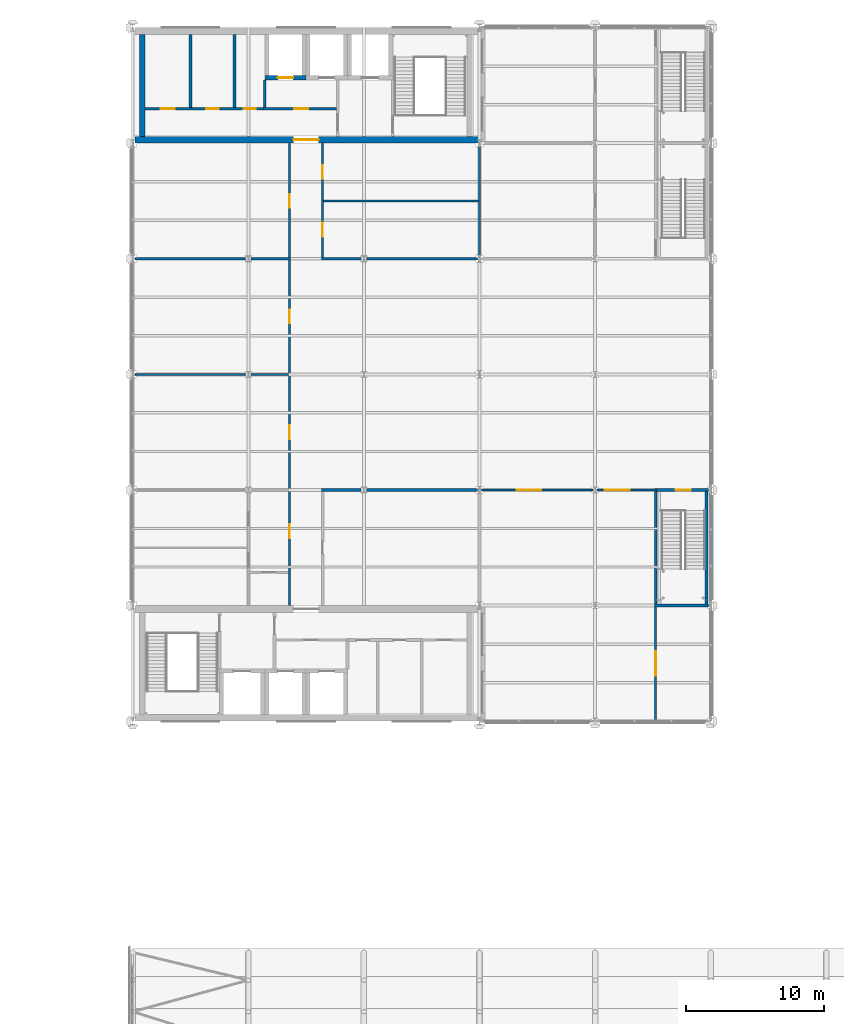
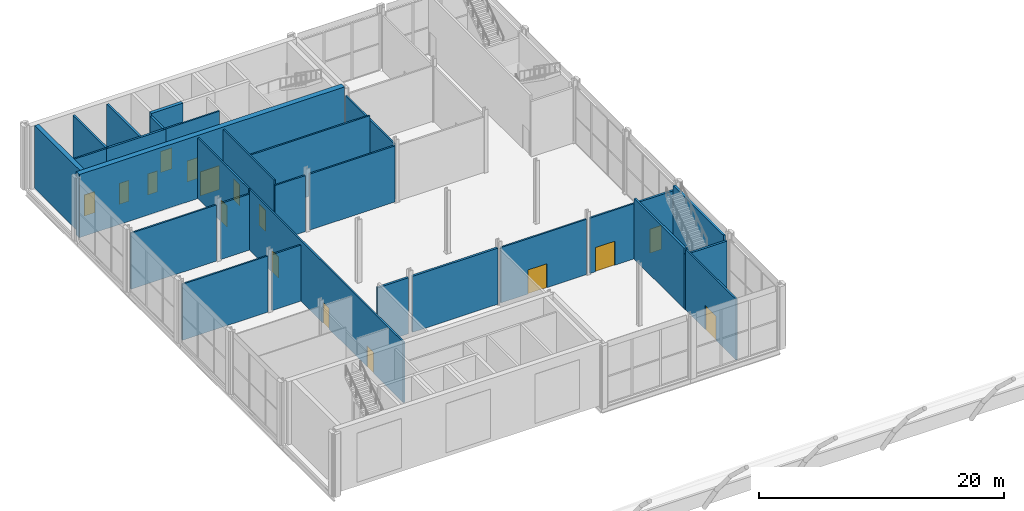
# One storey, part 67 of 77: 29 walls, 16 doors, 16 openings.
"""IFC4 building model written with IfcOpenShell, lengths in metres."""

from ifc_helpers import new_model, si_unit, direction, frame, frame_2d, origin, place, context, subcontext, project, spatial, rectangle, extrude, material, layer, layer_set, type_object, element, fill, save


model = new_model("IFC4")

# Units and contexts
model_context = context("Model", 3, precision=1e-05, world=origin(), true_north=direction((0.0, 1.0)))
body_context = subcontext(model_context, "Body", "Model", "MODEL_VIEW")
ifc_project = project(units=[si_unit("LENGTHUNIT", "METRE"), si_unit("AREAUNIT", "SQUARE_METRE"), si_unit("VOLUMEUNIT", "CUBIC_METRE"), si_unit("PLANEANGLEUNIT", "RADIAN"), si_unit("MASSUNIT", "GRAM", prefix="KILO")], contexts=[model_context])

# Site, building, storey
site_placement = place(None, origin())
site = spatial("IfcSite", under=ifc_project, at=site_placement, CompositionType="ELEMENT")
building_placement = place(site_placement, origin())
building = spatial("IfcBuilding", under=site, at=building_placement, Name="Catenary Quay Ferry Terminal", CompositionType="ELEMENT")
storey_placement = place(building_placement, frame((0.0, 0.0, 10.800048828125)))
storey = spatial("IfcBuildingStorey", under=building, at=storey_placement, Name="L02", CompositionType="ELEMENT", Elevation=10.800048828125)

# Wall
ifc_material_1 = material(Name="Concrete C50/60", Category="concrete")
ifc_layer_1 = layer(ifc_material_1, 0.39990234375)
ifc_layer_set_1 = layer_set([ifc_layer_1], Name="Core wall 400")
wall_type_1 = type_object("IfcWallType", Name="Core wall 400", PredefinedType="SHEAR", material=ifc_layer_set_1)
wall_1_placement = place(storey_placement, frame((25.89990234375, 202.10009765625, 0.0), z_axis=(0.0, 0.0, 1.0), x_axis=(0.0, 1.0, 0.0)))
element("IfcWall", 1, at=wall_1_placement, inside=storey, type_object=wall_type_1, Name="Core wall N3", PredefinedType="SHEAR", context=body_context, shape_type="SweptSolid", body=[
    extrude(rectangle(XDim=7.39990234375, YDim=0.39990234375, at=frame_2d((3.699951171875, 0.0))), origin(), (0.0, 0.0, 1.0), 6.300048828125),
])

# Wall, opening, door
ifc_material_2 = material(Name="Concrete C50/60", Category="concrete")
ifc_layer_2 = layer(ifc_material_2, 0.5)
ifc_layer_set_2 = layer_set([ifc_layer_2], Name="Core wall 500")
wall_type_2 = type_object("IfcWallType", Name="Core wall 500", PredefinedType="SHEAR", material=ifc_layer_set_2)
wall_2_placement = place(storey_placement, frame((25.35009765625, 201.85009765625, 0.0), z_axis=(0.0, 0.0, 1.0), x_axis=(1.0, 0.0, 0.0)))
wall_2 = element("IfcWall", 2, at=wall_2_placement, inside=storey, type_object=wall_type_2, Name="Core wall N1", PredefinedType="SHEAR", context=body_context, shape_type="SweptSolid", body=[
    extrude(rectangle(XDim=25.04296875, YDim=0.5, at=frame_2d((12.521484375, 0.0))), origin(), (0.0, 0.0, 1.0), 6.300048828125),
])
opening_1_placement = place(wall_2_placement, frame((11.550048828125, 0.0, 0.0)))
opening_1 = element("IfcOpeningElement", 3, at=opening_1_placement, cuts=wall_2, Name="Opening D171", PredefinedType="OPENING", context=body_context, shape_type="SweptSolid", body=[
    extrude(rectangle(XDim=1.800048828125, YDim=2.39990234375, at=frame_2d((0.89990234375, 1.199951171875))), frame((0.0, 0.260009765625, 0.0), z_axis=(0.0, -1.0, 0.0), x_axis=(1.0, 0.0, 0.0)), (0.0, 0.0, 1.0), 0.52001953125),
])
ifc_material_3 = material(Name="Steel and glass", Category="steel")
door_type_1 = type_object("IfcDoorType", Name="DI3", OperationType="DOUBLE_DOOR_SINGLE_SWING", PredefinedType="DOOR", material=ifc_material_3)
door_1_placement = place(opening_1_placement, origin())
door_1 = element("IfcDoor", 4, at=door_1_placement, inside=storey, type_object=door_type_1, Name="Operations Corridor North to Core Corridor N", OperationType="DOUBLE_DOOR_SINGLE_SWING", OverallHeight=2.39990234375, OverallWidth=1.800048828125, PredefinedType="DOOR", context=body_context, shape_type="SweptSolid", body=[
    extrude(rectangle(XDim=1.800048828125, YDim=2.39990234375, at=frame_2d((0.89990234375, 1.199951171875))), frame((0.0, 0.02490234375, 0.0), z_axis=(0.0, -1.0, 0.0), x_axis=(1.0, 0.0, 0.0)), (0.0, 0.0, 1.0), 0.050048828125),
])
fill(opening_1, door_1)

# Walls
ifc_material_4 = material(Name="Plasterboard on steel studs", Category="steel")
ifc_layer_3 = layer(ifc_material_4, 0.14990234375)
ifc_layer_set_3 = layer_set([ifc_layer_3], Name="IP11")
wall_type_3 = type_object("IfcWallType", Name="IP11", PredefinedType="PARTITIONING", material=ifc_layer_set_3)
wall_3_placement = place(storey_placement, frame((25.35009765625, 193.199951171875, 0.0), z_axis=(0.0, 0.0, 1.0), x_axis=(1.0, 0.0, 0.0)))
element("IfcWall", 5, at=wall_3_placement, inside=storey, type_object=wall_type_3, Name="Partition L02 16", PredefinedType="PARTITIONING", context=body_context, shape_type="SweptSolid", body=[
    extrude(rectangle(XDim=8.0478515625, YDim=0.14990234375, at=frame_2d((4.02392578125, 0.0))), origin(), (0.0, 0.0, 1.0), 5.59619140625),
])
wall_4_placement = place(storey_placement, frame((33.802001953125, 193.199951171875, 0.0), z_axis=(0.0, 0.0, 1.0), x_axis=(1.0, 0.0, 0.0)))
element("IfcWall", 6, at=wall_4_placement, inside=storey, type_object=wall_type_3, Name="Partition L02 17", PredefinedType="PARTITIONING", context=body_context, shape_type="SweptSolid", body=[
    extrude(rectangle(XDim=2.873046875, YDim=0.14990234375, at=frame_2d((1.4365234375, 0.0))), origin(), (0.0, 0.0, 1.0), 5.59619140625),
])

# Wall, opening, door
wall_5_placement = place(storey_placement, frame((36.60009765625, 193.27490234375, 0.0), z_axis=(0.0, 0.0, 1.0), x_axis=(0.0, 1.0, 0.0)))
wall_5 = element("IfcWall", 7, at=wall_5_placement, inside=storey, type_object=wall_type_3, Name="Partition L02 36", PredefinedType="PARTITIONING", context=body_context, shape_type="SweptSolid", body=[
    extrude(rectangle(XDim=8.3251953125, YDim=0.14990234375, at=frame_2d((4.16259765625, 0.0))), origin(), (0.0, 0.0, 1.0), 6.050048828125),
])
opening_2_placement = place(wall_5_placement, frame((3.625, 0.0, 0.0)))
opening_2 = element("IfcOpeningElement", 8, at=opening_2_placement, cuts=wall_5, Name="Opening D178", PredefinedType="OPENING", context=body_context, shape_type="SweptSolid", body=[
    extrude(rectangle(XDim=1.0, YDim=2.10009765625, at=frame_2d((0.5, 1.050048828125))), frame((0.0, 0.0849609375, 0.0), z_axis=(0.0, -1.0, 0.0), x_axis=(1.0, 0.0, 0.0)), (0.0, 0.0, 1.0), 0.169921875),
])
ifc_material_5 = material(Name="Steel", Category="steel")
door_type_2 = type_object("IfcDoorType", Name="DI14", OperationType="SINGLE_SWING_LEFT", PredefinedType="DOOR", material=ifc_material_5)
door_2_placement = place(opening_2_placement, origin())
door_2 = element("IfcDoor", 9, at=door_2_placement, inside=storey, type_object=door_type_2, Name="Vessel Traffic Control Room to Operations Corridor North", OperationType="SINGLE_SWING_LEFT", OverallHeight=2.10009765625, OverallWidth=1.0, PredefinedType="DOOR", context=body_context, shape_type="SweptSolid", body=[
    extrude(rectangle(XDim=1.0, YDim=2.10009765625, at=frame_2d((0.5, 1.050048828125))), frame((0.0, 0.02490234375, 0.0), z_axis=(0.0, -1.0, 0.0), x_axis=(1.0, 0.0, 0.0)), (0.0, 0.0, 1.0), 0.050048828125),
])
fill(opening_2, door_2)

# Wall
ifc_material_6 = material(Name="Concrete C35/45", Category="concrete")
ifc_layer_4 = layer(ifc_material_6, 0.199951171875)
ifc_layer_set_4 = layer_set([ifc_layer_4], Name="IP12")
wall_type_4 = type_object("IfcWallType", Name="IP12", PredefinedType="PARTITIONING", material=ifc_layer_set_4)
wall_6_placement = place(storey_placement, frame((63.10009765625, 168.0, 0.0), z_axis=(0.0, 0.0, 1.0), x_axis=(1.0, 0.0, 0.0)))
element("IfcWall", 10, at=wall_6_placement, inside=storey, type_object=wall_type_4, Name="Stair wall L02 4", PredefinedType="PARTITIONING", context=body_context, shape_type="SweptSolid", body=[
    extrude(rectangle(XDim=3.949951171875, YDim=0.199951171875, at=frame_2d((1.97509765625, 0.0))), origin(), (0.0, 0.0, 1.0), 5.521728515625),
])

# Wall, opening, door
wall_7_placement = place(storey_placement, frame((63.10009765625, 176.39990234375, 0.0), z_axis=(0.0, 0.0, 1.0), x_axis=(1.0, 0.0, 0.0)))
wall_7 = element("IfcWall", 11, at=wall_7_placement, inside=storey, type_object=wall_type_4, Name="Stair wall L02 13", PredefinedType="PARTITIONING", context=body_context, shape_type="SweptSolid", body=[
    extrude(rectangle(XDim=3.949951171875, YDim=0.199951171875, at=frame_2d((1.97509765625, 0.0))), origin(), (0.0, 0.0, 1.0), 5.521728515625),
])
opening_3_placement = place(wall_7_placement, frame((1.550048828125, 0.0, 0.0)))
opening_3 = element("IfcOpeningElement", 12, at=opening_3_placement, cuts=wall_7, Name="Opening D187", PredefinedType="OPENING", context=body_context, shape_type="SweptSolid", body=[
    extrude(rectangle(XDim=1.10009765625, YDim=2.39990234375, at=frame_2d((0.550048828125, 1.199951171875))), frame((0.0, 0.10986328125, 0.0), z_axis=(0.0, -1.0, 0.0), x_axis=(1.0, 0.0, 0.0)), (0.0, 0.0, 1.0), 0.219970703125),
])
ifc_material_7 = material(Name="Steel", Category="steel")
door_type_3 = type_object("IfcDoorType", Name="DI4", OperationType="SINGLE_SWING_LEFT", PredefinedType="DOOR", material=ifc_material_7)
door_3_placement = place(opening_3_placement, frame((1.10009765625, 0.0, 0.0), z_axis=(0.0, 0.0, 1.0), x_axis=(-1.0, 0.0, 0.0)))
door_3 = element("IfcDoor", 13, at=door_3_placement, inside=storey, type_object=door_type_3, Name="Stair HS3 to East Foyer", OperationType="SINGLE_SWING_RIGHT", OverallHeight=2.39990234375, OverallWidth=1.10009765625, PredefinedType="DOOR", context=body_context, shape_type="SweptSolid", body=[
    extrude(rectangle(XDim=1.10009765625, YDim=2.39990234375, at=frame_2d((0.550048828125, 1.199951171875))), frame((0.0, 0.02490234375, 0.0), z_axis=(0.0, -1.0, 0.0), x_axis=(1.0, 0.0, 0.0)), (0.0, 0.0, 1.0), 0.050048828125),
])
fill(opening_3, door_3)

# Walls
for number, where, z_axis, x_axis, name in (
    (14, (63.199951171875, 168.10009765625, 0.0), (0.0, 0.0, 1.0), (0.0, 1.0, 0.0), "Stair wall L02 49"),
    (15, (66.89990234375, 168.10009765625, 0.0), (0.0, 0.0, 1.0), (0.0, 1.0, 0.0), "Stair wall L02 east 3"),
):
    element("IfcWall", number, at=place(storey_placement, frame(where, z_axis=z_axis, x_axis=x_axis)), inside=storey, type_object=wall_type_4, Name=name, PredefinedType="PARTITIONING", context=body_context, shape_type="SweptSolid", body=[
        extrude(rectangle(XDim=8.199951171875, YDim=0.199951171875, at=frame_2d((4.10009765625, 0.0))), origin(), (0.0, 0.0, 1.0), 6.050048828125),
    ])

# Wall, opening, door
ifc_material_8 = material(Name="Plasterboard on steel studs", Category="steel")
ifc_layer_5 = layer(ifc_material_8, 0.14990234375)
ifc_layer_set_5 = layer_set([ifc_layer_5], Name="IP3")
wall_type_5 = type_object("IfcWallType", Name="IP3", PredefinedType="PARTITIONING", material=ifc_layer_set_5)
wall_8_placement = place(storey_placement, frame((50.550048828125, 176.39990234375, 0.0), z_axis=(0.0, 0.0, 1.0), x_axis=(1.0, 0.0, 0.0)))
wall_8 = element("IfcWall", 16, at=wall_8_placement, inside=storey, type_object=wall_type_5, Name="Partition L02 11", PredefinedType="PARTITIONING", context=body_context, shape_type="SweptSolid", body=[
    extrude(rectangle(XDim=8.099853515625, YDim=0.14990234375, at=frame_2d((4.0498046875, 0.0))), origin(), (0.0, 0.0, 1.0), 5.521728515625),
])
opening_4_placement = place(wall_8_placement, frame((2.550048828125, 0.0, 0.0)))
opening_4 = element("IfcOpeningElement", 17, at=opening_4_placement, cuts=wall_8, Name="Opening D182", PredefinedType="OPENING", context=body_context, shape_type="SweptSolid", body=[
    extrude(rectangle(XDim=1.800048828125, YDim=2.39990234375, at=frame_2d((0.89990234375, 1.199951171875))), frame((0.0, 0.0849609375, 0.0), z_axis=(0.0, -1.0, 0.0), x_axis=(1.0, 0.0, 0.0)), (0.0, 0.0, 1.0), 0.169921875),
])
ifc_material_9 = material(Name="Aluminium and glass", Category="aluminium")
door_type_4 = type_object("IfcDoorType", Name="DI6", OperationType="DOUBLE_DOOR_SINGLE_SWING", PredefinedType="DOOR", material=ifc_material_9)
door_4_placement = place(opening_4_placement, origin())
door_4 = element("IfcDoor", 18, at=door_4_placement, inside=storey, type_object=door_type_4, Name="Community Hall to East Foyer", OperationType="DOUBLE_DOOR_SINGLE_SWING", OverallHeight=2.39990234375, OverallWidth=1.800048828125, PredefinedType="DOOR", context=body_context, shape_type="SweptSolid", body=[
    extrude(rectangle(XDim=1.800048828125, YDim=2.39990234375, at=frame_2d((0.89990234375, 1.199951171875))), frame((0.0, 0.02490234375, 0.0), z_axis=(0.0, -1.0, 0.0), x_axis=(1.0, 0.0, 0.0)), (0.0, 0.0, 1.0), 0.050048828125),
])
fill(opening_4, door_4)

wall_9_placement = place(storey_placement, frame((58.949951171875, 176.39990234375, 0.0), z_axis=(0.0, 0.0, 1.0), x_axis=(1.0, 0.0, 0.0)))
wall_9 = element("IfcWall", 19, at=wall_9_placement, inside=storey, type_object=wall_type_5, Name="Partition L02 12", PredefinedType="PARTITIONING", context=body_context, shape_type="SweptSolid", body=[
    extrude(rectangle(XDim=4.35009765625, YDim=0.14990234375, at=frame_2d((2.175048828125, 0.0))), origin(), (0.0, 0.0, 1.0), 5.521728515625),
])
opening_5_placement = place(wall_9_placement, frame((0.550048828125, 0.0, 0.0)))
opening_5 = element("IfcOpeningElement", 20, at=opening_5_placement, cuts=wall_9, Name="Opening D183", PredefinedType="OPENING", context=body_context, shape_type="SweptSolid", body=[
    extrude(rectangle(XDim=1.800048828125, YDim=2.39990234375, at=frame_2d((0.89990234375, 1.199951171875))), frame((0.0, 0.0849609375, 0.0), z_axis=(0.0, -1.0, 0.0), x_axis=(1.0, 0.0, 0.0)), (0.0, 0.0, 1.0), 0.169921875),
])
door_5_placement = place(opening_5_placement, origin())
door_5 = element("IfcDoor", 21, at=door_5_placement, inside=storey, type_object=door_type_4, Name="Community Hall to East Foyer", OperationType="DOUBLE_DOOR_SINGLE_SWING", OverallHeight=2.39990234375, OverallWidth=1.800048828125, PredefinedType="DOOR", context=body_context, shape_type="SweptSolid", body=[
    extrude(rectangle(XDim=1.800048828125, YDim=2.39990234375, at=frame_2d((0.89990234375, 1.199951171875))), frame((0.0, 0.02490234375, 0.0), z_axis=(0.0, -1.0, 0.0), x_axis=(1.0, 0.0, 0.0)), (0.0, 0.0, 1.0), 0.050048828125),
])
fill(opening_5, door_5)

# Walls
wall_10_placement = place(storey_placement, frame((38.925048828125, 193.199951171875, 0.0), z_axis=(0.0, 0.0, 1.0), x_axis=(1.0, 0.0, 0.0)))
element("IfcWall", 22, at=wall_10_placement, inside=storey, type_object=wall_type_5, Name="Partition L02 18", PredefinedType="PARTITIONING", context=body_context, shape_type="SweptSolid", body=[
    extrude(rectangle(XDim=2.873046875, YDim=0.14990234375, at=frame_2d((1.4365234375, 0.0))), origin(), (0.0, 0.0, 1.0), 5.59619140625),
])
wall_11_placement = place(storey_placement, frame((42.201904296875, 193.199951171875, 0.0), z_axis=(0.0, 0.0, 1.0), x_axis=(1.0, 0.0, 0.0)))
element("IfcWall", 23, at=wall_11_placement, inside=storey, type_object=wall_type_5, Name="Partition L02 19", PredefinedType="PARTITIONING", context=body_context, shape_type="SweptSolid", body=[
    extrude(rectangle(XDim=8.048095703125, YDim=0.14990234375, at=frame_2d((4.02392578125, 0.0))), origin(), (0.0, 0.0, 1.0), 5.59619140625),
])

# Wall, opening, door
wall_12_placement = place(storey_placement, frame((26.10009765625, 204.10009765625, 0.0), z_axis=(0.0, 0.0, 1.0), x_axis=(1.0, 0.0, 0.0)))
wall_12 = element("IfcWall", 24, at=wall_12_placement, inside=storey, type_object=wall_type_5, Name="Partition L02 25", PredefinedType="PARTITIONING", context=body_context, shape_type="SweptSolid", body=[
    extrude(rectangle(XDim=3.39990234375, YDim=0.14990234375, at=frame_2d((1.699951171875, 0.0))), origin(), (0.0, 0.0, 1.0), 6.050048828125),
])
opening_6_placement = place(wall_12_placement, frame((1.14990234375, 0.0, 0.0)))
opening_6 = element("IfcOpeningElement", 25, at=opening_6_placement, cuts=wall_12, Name="Opening D167", PredefinedType="OPENING", context=body_context, shape_type="SweptSolid", body=[
    extrude(rectangle(XDim=1.0, YDim=2.10009765625, at=frame_2d((0.5, 1.050048828125))), frame((0.0, 0.0849609375, 0.0), z_axis=(0.0, -1.0, 0.0), x_axis=(1.0, 0.0, 0.0)), (0.0, 0.0, 1.0), 0.169921875),
])
ifc_material_10 = material(Name="Timber", Category="wood")
door_type_5 = type_object("IfcDoorType", Name="DI8", OperationType="SINGLE_SWING_LEFT", PredefinedType="DOOR", material=ifc_material_10)
door_6_placement = place(opening_6_placement, origin())
door_6 = element("IfcDoor", 26, at=door_6_placement, inside=storey, type_object=door_type_5, Name="Accessible WC N to Core Corridor N", OperationType="SINGLE_SWING_LEFT", OverallHeight=2.10009765625, OverallWidth=1.0, PredefinedType="DOOR", context=body_context, shape_type="SweptSolid", body=[
    extrude(rectangle(XDim=1.0, YDim=2.10009765625, at=frame_2d((0.5, 1.050048828125))), frame((0.0, 0.02490234375, 0.0), z_axis=(0.0, -1.0, 0.0), x_axis=(1.0, 0.0, 0.0)), (0.0, 0.0, 1.0), 0.050048828125),
])
fill(opening_6, door_6)

wall_13_placement = place(storey_placement, frame((34.699951171875, 204.10009765625, 0.0), z_axis=(0.0, 0.0, 1.0), x_axis=(1.0, 0.0, 0.0)))
wall_13 = element("IfcWall", 27, at=wall_13_placement, inside=storey, type_object=wall_type_5, Name="Partition L02 27", PredefinedType="PARTITIONING", context=body_context, shape_type="SweptSolid", body=[
    extrude(rectangle(XDim=5.300048828125, YDim=0.14990234375, at=frame_2d((2.64990234375, 0.0))), origin(), (0.0, 0.0, 1.0), 6.050048828125),
])
opening_7_placement = place(wall_13_placement, frame((2.25, 0.0, 0.0)))
opening_7 = element("IfcOpeningElement", 28, at=opening_7_placement, cuts=wall_13, Name="Opening D159", PredefinedType="OPENING", context=body_context, shape_type="SweptSolid", body=[
    extrude(rectangle(XDim=1.0, YDim=2.10009765625, at=frame_2d((0.5, 1.050048828125))), frame((0.0, 0.0849609375, 0.0), z_axis=(0.0, -1.0, 0.0), x_axis=(1.0, 0.0, 0.0)), (0.0, 0.0, 1.0), 0.169921875),
])
ifc_material_11 = material(Name="Steel", Category="steel")
door_type_6 = type_object("IfcDoorType", Name="DI12", OperationType="SINGLE_SWING_LEFT", PredefinedType="DOOR", material=ifc_material_11)
door_7_placement = place(opening_7_placement, origin())
door_7 = element("IfcDoor", 29, at=door_7_placement, inside=storey, type_object=door_type_6, Name="Passenger Lift Lobby N to Core Corridor N", OperationType="SINGLE_SWING_LEFT", OverallHeight=2.10009765625, OverallWidth=1.0, PredefinedType="DOOR", context=body_context, shape_type="SweptSolid", body=[
    extrude(rectangle(XDim=1.0, YDim=2.10009765625, at=frame_2d((0.5, 1.050048828125))), frame((0.0, 0.02490234375, 0.0), z_axis=(0.0, -1.0, 0.0), x_axis=(1.0, 0.0, 0.0)), (0.0, 0.0, 1.0), 0.050048828125),
])
fill(opening_7, door_7)

# Wall, openings, doors
wall_14_placement = place(storey_placement, frame((36.60009765625, 168.0, 0.0), z_axis=(0.0, 0.0, 1.0), x_axis=(0.0, 1.0, 0.0)))
wall_14 = element("IfcWall", 30, at=wall_14_placement, inside=storey, type_object=wall_type_5, Name="Partition L02 35", PredefinedType="PARTITIONING", context=body_context, shape_type="SweptSolid", body=[
    extrude(rectangle(XDim=25.125, YDim=0.14990234375, at=frame_2d((12.5625, 0.0))), origin(), (0.0, 0.0, 1.0), 6.050048828125),
])
opening_8_placement = place(wall_14_placement, frame((4.89990234375, 0.0, 0.0)))
opening_8 = element("IfcOpeningElement", 31, at=opening_8_placement, cuts=wall_14, Name="Opening D175", PredefinedType="OPENING", context=body_context, shape_type="SweptSolid", body=[
    extrude(rectangle(XDim=1.0, YDim=2.10009765625, at=frame_2d((0.5, 1.050048828125))), frame((0.0, 0.0849609375, 0.0), z_axis=(0.0, -1.0, 0.0), x_axis=(1.0, 0.0, 0.0)), (0.0, 0.0, 1.0), 0.169921875),
])
opening_9_placement = place(wall_14_placement, frame((12.10009765625, 0.0, 0.0)))
opening_9 = element("IfcOpeningElement", 32, at=opening_9_placement, cuts=wall_14, Name="Opening D176", PredefinedType="OPENING", context=body_context, shape_type="SweptSolid", body=[
    extrude(rectangle(XDim=1.0, YDim=2.10009765625, at=frame_2d((0.5, 1.050048828125))), frame((0.0, 0.0849609375, 0.0), z_axis=(0.0, -1.0, 0.0), x_axis=(1.0, 0.0, 0.0)), (0.0, 0.0, 1.0), 0.169921875),
])
opening_10_placement = place(wall_14_placement, frame((20.5, 0.0, 0.0)))
opening_10 = element("IfcOpeningElement", 33, at=opening_10_placement, cuts=wall_14, Name="Opening D177", PredefinedType="OPENING", context=body_context, shape_type="SweptSolid", body=[
    extrude(rectangle(XDim=1.0, YDim=2.10009765625, at=frame_2d((0.5, 1.050048828125))), frame((0.0, 0.0849609375, 0.0), z_axis=(0.0, -1.0, 0.0), x_axis=(1.0, 0.0, 0.0)), (0.0, 0.0, 1.0), 0.169921875),
])
door_8_placement = place(opening_8_placement, origin())
door_8 = element("IfcDoor", 34, at=door_8_placement, inside=storey, type_object=door_type_6, Name="Staff WC Lobby L02 to Operations Corridor South", OperationType="SINGLE_SWING_LEFT", OverallHeight=2.10009765625, OverallWidth=1.0, PredefinedType="DOOR", context=body_context, shape_type="SweptSolid", body=[
    extrude(rectangle(XDim=1.0, YDim=2.10009765625, at=frame_2d((0.5, 1.050048828125))), frame((0.0, 0.02490234375, 0.0), z_axis=(0.0, -1.0, 0.0), x_axis=(1.0, 0.0, 0.0)), (0.0, 0.0, 1.0), 0.050048828125),
])
fill(opening_8, door_8)
door_9_placement = place(opening_9_placement, frame((1.0, 0.0, 0.0), z_axis=(0.0, 0.0, 1.0), x_axis=(-1.0, 0.0, 0.0)))
door_9 = element("IfcDoor", 35, at=door_9_placement, inside=storey, type_object=door_type_6, Name="Board Room to Meeting Gallery", OperationType="SINGLE_SWING_RIGHT", OverallHeight=2.10009765625, OverallWidth=1.0, PredefinedType="DOOR", context=body_context, shape_type="SweptSolid", body=[
    extrude(rectangle(XDim=1.0, YDim=2.10009765625, at=frame_2d((0.5, 1.050048828125))), frame((0.0, 0.02490234375, 0.0), z_axis=(0.0, -1.0, 0.0), x_axis=(1.0, 0.0, 0.0)), (0.0, 0.0, 1.0), 0.050048828125),
])
fill(opening_9, door_9)
door_10_placement = place(opening_10_placement, frame((1.0, 0.0, 0.0), z_axis=(0.0, 0.0, 1.0), x_axis=(-1.0, 0.0, 0.0)))
door_10 = element("IfcDoor", 36, at=door_10_placement, inside=storey, type_object=door_type_6, Name="Port Authority Open Office to Meeting Gallery", OperationType="SINGLE_SWING_RIGHT", OverallHeight=2.10009765625, OverallWidth=1.0, PredefinedType="DOOR", context=body_context, shape_type="SweptSolid", body=[
    extrude(rectangle(XDim=1.0, YDim=2.10009765625, at=frame_2d((0.5, 1.050048828125))), frame((0.0, 0.02490234375, 0.0), z_axis=(0.0, -1.0, 0.0), x_axis=(1.0, 0.0, 0.0)), (0.0, 0.0, 1.0), 0.050048828125),
])
fill(opening_10, door_10)

wall_15_placement = place(storey_placement, frame((39.0, 193.27490234375, 0.0), z_axis=(0.0, 0.0, 1.0), x_axis=(0.0, 1.0, 0.0)))
wall_15 = element("IfcWall", 37, at=wall_15_placement, inside=storey, type_object=wall_type_5, Name="Partition L02 38", PredefinedType="PARTITIONING", context=body_context, shape_type="SweptSolid", body=[
    extrude(rectangle(XDim=8.3251953125, YDim=0.14990234375, at=frame_2d((4.16259765625, 0.0))), origin(), (0.0, 0.0, 1.0), 6.050048828125),
])
opening_11_placement = place(wall_15_placement, frame((1.52490234375, 0.0, 0.0)))
opening_11 = element("IfcOpeningElement", 38, at=opening_11_placement, cuts=wall_15, Name="Opening D180", PredefinedType="OPENING", context=body_context, shape_type="SweptSolid", body=[
    extrude(rectangle(XDim=1.0, YDim=2.10009765625, at=frame_2d((0.5, 1.050048828125))), frame((0.0, 0.0849609375, 0.0), z_axis=(0.0, -1.0, 0.0), x_axis=(1.0, 0.0, 0.0)), (0.0, 0.0, 1.0), 0.169921875),
])
opening_12_placement = place(wall_15_placement, frame((5.72509765625, 0.0, 0.0)))
opening_12 = element("IfcOpeningElement", 39, at=opening_12_placement, cuts=wall_15, Name="Opening D181", PredefinedType="OPENING", context=body_context, shape_type="SweptSolid", body=[
    extrude(rectangle(XDim=1.0, YDim=2.10009765625, at=frame_2d((0.5, 1.050048828125))), frame((0.0, 0.0849609375, 0.0), z_axis=(0.0, -1.0, 0.0), x_axis=(1.0, 0.0, 0.0)), (0.0, 0.0, 1.0), 0.169921875),
])
ifc_material_12 = material(Name="Timber", Category="wood")
door_type_7 = type_object("IfcDoorType", Name="DI7", OperationType="SINGLE_SWING_LEFT", PredefinedType="DOOR", material=ifc_material_12)
door_11_placement = place(opening_11_placement, frame((1.0, 0.0, 0.0), z_axis=(0.0, 0.0, 1.0), x_axis=(-1.0, 0.0, 0.0)))
door_11 = element("IfcDoor", 40, at=door_11_placement, inside=storey, type_object=door_type_7, Name="Meeting Room 1 to Operations Corridor North", OperationType="SINGLE_SWING_RIGHT", OverallHeight=2.10009765625, OverallWidth=1.0, PredefinedType="DOOR", context=body_context, shape_type="SweptSolid", body=[
    extrude(rectangle(XDim=1.0, YDim=2.10009765625, at=frame_2d((0.5, 1.050048828125))), frame((0.0, 0.02490234375, 0.0), z_axis=(0.0, -1.0, 0.0), x_axis=(1.0, 0.0, 0.0)), (0.0, 0.0, 1.0), 0.050048828125),
])
fill(opening_11, door_11)
door_12_placement = place(opening_12_placement, frame((1.0, 0.0, 0.0), z_axis=(0.0, 0.0, 1.0), x_axis=(-1.0, 0.0, 0.0)))
door_12 = element("IfcDoor", 41, at=door_12_placement, inside=storey, type_object=door_type_7, Name="Meeting Room 2 to Operations Corridor North", OperationType="SINGLE_SWING_RIGHT", OverallHeight=2.10009765625, OverallWidth=1.0, PredefinedType="DOOR", context=body_context, shape_type="SweptSolid", body=[
    extrude(rectangle(XDim=1.0, YDim=2.10009765625, at=frame_2d((0.5, 1.050048828125))), frame((0.0, 0.02490234375, 0.0), z_axis=(0.0, -1.0, 0.0), x_axis=(1.0, 0.0, 0.0)), (0.0, 0.0, 1.0), 0.050048828125),
])
fill(opening_12, door_12)

# Walls
ifc_material_13 = material(Name="Blockwork and plaster", Category="masonry")
ifc_layer_6 = layer(ifc_material_13, 0.199951171875)
ifc_layer_set_6 = layer_set([ifc_layer_6], Name="IP6")
wall_type_6 = type_object("IfcWallType", Name="IP6", PredefinedType="PARTITIONING", material=ifc_layer_set_6)
wall_16_placement = place(storey_placement, frame((38.89990234375, 176.39990234375, 0.0), z_axis=(0.0, 0.0, 1.0), x_axis=(1.0, 0.0, 0.0)))
element("IfcWall", 42, at=wall_16_placement, inside=storey, type_object=wall_type_6, Name="Partition L02 9", PredefinedType="PARTITIONING", context=body_context, shape_type="SweptSolid", body=[
    extrude(rectangle(XDim=2.898193359375, YDim=0.199951171875, at=frame_2d((1.44921875, 0.0))), origin(), (0.0, 0.0, 1.0), 5.59619140625),
])
wall_17_placement = place(storey_placement, frame((42.201904296875, 176.39990234375, 0.0), z_axis=(0.0, 0.0, 1.0), x_axis=(1.0, 0.0, 0.0)))
element("IfcWall", 43, at=wall_17_placement, inside=storey, type_object=wall_type_6, Name="Partition L02 10", PredefinedType="PARTITIONING", context=body_context, shape_type="SweptSolid", body=[
    extrude(rectangle(XDim=8.048095703125, YDim=0.199951171875, at=frame_2d((4.02392578125, 0.0))), origin(), (0.0, 0.0, 1.0), 5.59619140625),
])

# Wall, openings, doors
wall_18_placement = place(storey_placement, frame((29.300048828125, 204.10009765625, 0.0), z_axis=(0.0, 0.0, 1.0), x_axis=(1.0, 0.0, 0.0)))
wall_18 = element("IfcWall", 44, at=wall_18_placement, inside=storey, type_object=wall_type_6, Name="Partition L02 26", PredefinedType="PARTITIONING", context=body_context, shape_type="SweptSolid", body=[
    extrude(rectangle(XDim=5.599853515625, YDim=0.199951171875, at=frame_2d((2.7998046875, 0.0))), origin(), (0.0, 0.0, 1.0), 6.050048828125),
])
opening_13_placement = place(wall_18_placement, frame((3.949951171875, 0.0, 0.0)))
opening_13 = element("IfcOpeningElement", 45, at=opening_13_placement, cuts=wall_18, Name="Opening D163", PredefinedType="OPENING", context=body_context, shape_type="SweptSolid", body=[
    extrude(rectangle(XDim=0.89990234375, YDim=2.10009765625, at=frame_2d((0.449951171875, 1.050048828125))), frame((0.0, 0.10986328125, 0.0), z_axis=(0.0, -1.0, 0.0), x_axis=(1.0, 0.0, 0.0)), (0.0, 0.0, 1.0), 0.219970703125),
])
opening_14_placement = place(wall_18_placement, frame((1.25, 0.0, 0.0)))
opening_14 = element("IfcOpeningElement", 46, at=opening_14_placement, cuts=wall_18, Name="Opening D165", PredefinedType="OPENING", context=body_context, shape_type="SweptSolid", body=[
    extrude(rectangle(XDim=0.89990234375, YDim=2.10009765625, at=frame_2d((0.449951171875, 1.050048828125))), frame((0.0, 0.10986328125, 0.0), z_axis=(0.0, -1.0, 0.0), x_axis=(1.0, 0.0, 0.0)), (0.0, 0.0, 1.0), 0.219970703125),
])
ifc_material_14 = material(Name="Steel", Category="steel")
door_type_8 = type_object("IfcDoorType", Name="DI9", OperationType="SINGLE_SWING_LEFT", PredefinedType="DOOR", material=ifc_material_14)
door_13_placement = place(opening_13_placement, origin())
door_13 = element("IfcDoor", 47, at=door_13_placement, inside=storey, type_object=door_type_8, Name="Riser Shaft N to Core Corridor N", OperationType="SINGLE_SWING_LEFT", OverallHeight=2.10009765625, OverallWidth=0.89990234375, PredefinedType="DOOR", context=body_context, shape_type="SweptSolid", body=[
    extrude(rectangle(XDim=0.89990234375, YDim=2.10009765625, at=frame_2d((0.449951171875, 1.050048828125))), frame((0.0, 0.02490234375, 0.0), z_axis=(0.0, -1.0, 0.0), x_axis=(1.0, 0.0, 0.0)), (0.0, 0.0, 1.0), 0.050048828125),
])
fill(opening_13, door_13)
door_14_placement = place(opening_14_placement, origin())
door_14 = element("IfcDoor", 48, at=door_14_placement, inside=storey, type_object=door_type_8, Name="Cleaners Store N to Core Corridor N", OperationType="SINGLE_SWING_LEFT", OverallHeight=2.10009765625, OverallWidth=0.89990234375, PredefinedType="DOOR", context=body_context, shape_type="SweptSolid", body=[
    extrude(rectangle(XDim=0.89990234375, YDim=2.10009765625, at=frame_2d((0.449951171875, 1.050048828125))), frame((0.0, 0.02490234375, 0.0), z_axis=(0.0, -1.0, 0.0), x_axis=(1.0, 0.0, 0.0)), (0.0, 0.0, 1.0), 0.050048828125),
])
fill(opening_14, door_14)

# Walls
for number, where, z_axis, x_axis, name in (
    (49, (29.39990234375, 204.199951171875, 0.0), (0.0, 0.0, 1.0), (0.0, 1.0, 0.0), "Partition L02 28"),
    (50, (32.60009765625, 204.199951171875, 0.0), (0.0, 0.0, 1.0), (0.0, 1.0, 0.0), "Partition L02 30"),
):
    element("IfcWall", number, at=place(storey_placement, frame(where, z_axis=z_axis, x_axis=x_axis)), inside=storey, type_object=wall_type_6, Name=name, PredefinedType="PARTITIONING", context=body_context, shape_type="SweptSolid", body=[
        extrude(rectangle(XDim=5.300048828125, YDim=0.199951171875, at=frame_2d((2.64990234375, 0.0))), origin(), (0.0, 0.0, 1.0), 6.050048828125),
    ])
wall_19_placement = place(storey_placement, frame((34.800048828125, 204.199951171875, 0.0), z_axis=(0.0, 0.0, 1.0), x_axis=(0.0, 1.0, 0.0)))
element("IfcWall", 51, at=wall_19_placement, inside=storey, type_object=wall_type_6, Name="Partition L02 33", PredefinedType="PARTITIONING", context=body_context, shape_type="SweptSolid", body=[
    extrude(rectangle(XDim=2.0, YDim=0.199951171875, at=frame_2d((1.0, 0.0))), origin(), (0.0, 0.0, 1.0), 6.050048828125),
])
ifc_material_15 = material(Name="Plasterboard on steel studs", Category="steel")
ifc_layer_7 = layer(ifc_material_15, 0.14990234375)
ifc_layer_set_7 = layer_set([ifc_layer_7], Name="IP7")
wall_type_7 = type_object("IfcWallType", Name="IP7", PredefinedType="PARTITIONING", material=ifc_layer_set_7)
wall_20_placement = place(storey_placement, frame((25.35009765625, 184.800048828125, 0.0), z_axis=(0.0, 0.0, 1.0), x_axis=(1.0, 0.0, 0.0)))
element("IfcWall", 52, at=wall_20_placement, inside=storey, type_object=wall_type_7, Name="Partition L02 14", PredefinedType="PARTITIONING", context=body_context, shape_type="SweptSolid", body=[
    extrude(rectangle(XDim=8.0478515625, YDim=0.14990234375, at=frame_2d((4.02392578125, 0.0))), origin(), (0.0, 0.0, 1.0), 5.59619140625),
])
wall_21_placement = place(storey_placement, frame((33.802001953125, 184.800048828125, 0.0), z_axis=(0.0, 0.0, 1.0), x_axis=(1.0, 0.0, 0.0)))
element("IfcWall", 53, at=wall_21_placement, inside=storey, type_object=wall_type_7, Name="Partition L02 15", PredefinedType="PARTITIONING", context=body_context, shape_type="SweptSolid", body=[
    extrude(rectangle(XDim=2.722900390625, YDim=0.14990234375, at=frame_2d((1.361328125, 0.0))), origin(), (0.0, 0.0, 1.0), 5.59619140625),
])
wall_22_placement = place(storey_placement, frame((39.074951171875, 197.39990234375, 0.0), z_axis=(0.0, 0.0, 1.0), x_axis=(1.0, 0.0, 0.0)))
element("IfcWall", 54, at=wall_22_placement, inside=storey, type_object=wall_type_7, Name="Partition L02 22", PredefinedType="PARTITIONING", context=body_context, shape_type="SweptSolid", body=[
    extrude(rectangle(XDim=11.25, YDim=0.14990234375, at=frame_2d((5.625, 0.0))), origin(), (0.0, 0.0, 1.0), 6.050048828125),
])
wall_23_placement = place(storey_placement, frame((50.39990234375, 193.449951171875, 0.0), z_axis=(0.0, 0.0, 1.0), x_axis=(0.0, 1.0, 0.0)))
element("IfcWall", 55, at=wall_23_placement, inside=storey, type_object=wall_type_7, Name="Partition L02 45", PredefinedType="PARTITIONING", context=body_context, shape_type="SweptSolid", body=[
    extrude(rectangle(XDim=7.900146484375, YDim=0.14990234375, at=frame_2d((3.9501953125, 0.0))), origin(), (0.0, 0.0, 1.0), 5.59619140625),
])

# Wall, opening, door
wall_24_placement = place(storey_placement, frame((63.199951171875, 159.675048828125, 0.0), z_axis=(0.0, 0.0, 1.0), x_axis=(0.0, 1.0, 0.0)))
wall_24 = element("IfcWall", 56, at=wall_24_placement, inside=storey, type_object=wall_type_7, Name="Partition L02 48", PredefinedType="PARTITIONING", context=body_context, shape_type="SweptSolid", body=[
    extrude(rectangle(XDim=8.224853515625, YDim=0.14990234375, at=frame_2d((4.1123046875, 0.0))), origin(), (0.0, 0.0, 1.0), 6.050048828125),
])
opening_15_placement = place(wall_24_placement, frame((3.22509765625, 0.0, 0.0)))
opening_15 = element("IfcOpeningElement", 57, at=opening_15_placement, cuts=wall_24, Name="Opening D184", PredefinedType="OPENING", context=body_context, shape_type="SweptSolid", body=[
    extrude(rectangle(XDim=1.800048828125, YDim=2.39990234375, at=frame_2d((0.89990234375, 1.199951171875))), frame((0.0, 0.0849609375, 0.0), z_axis=(0.0, -1.0, 0.0), x_axis=(1.0, 0.0, 0.0)), (0.0, 0.0, 1.0), 0.169921875),
])
door_15_placement = place(opening_15_placement, origin())
door_15 = element("IfcDoor", 58, at=door_15_placement, inside=storey, type_object=door_type_4, Name="Briefing Room to Community Hall", OperationType="DOUBLE_DOOR_SINGLE_SWING", OverallHeight=2.39990234375, OverallWidth=1.800048828125, PredefinedType="DOOR", context=body_context, shape_type="SweptSolid", body=[
    extrude(rectangle(XDim=1.800048828125, YDim=2.39990234375, at=frame_2d((0.89990234375, 1.199951171875))), frame((0.0, 0.02490234375, 0.0), z_axis=(0.0, -1.0, 0.0), x_axis=(1.0, 0.0, 0.0)), (0.0, 0.0, 1.0), 0.050048828125),
])
fill(opening_15, door_15)

ifc_material_16 = material(Name="Concrete C50/60", Category="concrete")
ifc_layer_8 = layer(ifc_material_16, 0.300048828125)
ifc_layer_set_8 = layer_set([ifc_layer_8], Name="Shaft wall 300")
wall_type_8 = type_object("IfcWallType", Name="Shaft wall 300", PredefinedType="SHEAR", material=ifc_layer_set_8)
wall_25_placement = place(storey_placement, frame((34.800048828125, 206.35009765625, 0.0), z_axis=(0.0, 0.0, 1.0), x_axis=(1.0, 0.0, 0.0)))
wall_25 = element("IfcWall", 59, at=wall_25_placement, inside=storey, type_object=wall_type_8, Name="Shaft wall GL4 S", PredefinedType="SHEAR", context=body_context, shape_type="SweptSolid", body=[
    extrude(rectangle(XDim=3.0, YDim=0.300048828125, at=frame_2d((1.5, 0.0))), origin(), (0.0, 0.0, 1.0), 6.300048828125),
])
opening_16_placement = place(wall_25_placement, frame((0.949951171875, 0.0, 0.0)))
opening_16 = element("IfcOpeningElement", 60, at=opening_16_placement, cuts=wall_25, Name="Opening LD32", PredefinedType="OPENING", context=body_context, shape_type="SweptSolid", body=[
    extrude(rectangle(XDim=1.10009765625, YDim=2.10009765625, at=frame_2d((0.550048828125, 1.050048828125))), frame((0.0, 0.159912109375, 0.0), z_axis=(0.0, -1.0, 0.0), x_axis=(1.0, 0.0, 0.0)), (0.0, 0.0, 1.0), 0.320068359375),
])
ifc_material_17 = material(Name="Stainless steel", Category="steel")
door_type_9 = type_object("IfcDoorType", Name="DL1", OperationType="SLIDING_TO_LEFT", PredefinedType="DOOR", material=ifc_material_17)
door_16_placement = place(opening_16_placement, origin())
door_16 = element("IfcDoor", 61, at=door_16_placement, inside=storey, type_object=door_type_9, Name="Lift GL4 landing door L02", OperationType="SLIDING_TO_LEFT", OverallHeight=2.10009765625, OverallWidth=1.10009765625, PredefinedType="DOOR", context=body_context, shape_type="SweptSolid", body=[
    extrude(rectangle(XDim=1.10009765625, YDim=2.10009765625, at=frame_2d((0.550048828125, 1.050048828125))), frame((0.0, 0.02490234375, 0.0), z_axis=(0.0, -1.0, 0.0), x_axis=(1.0, 0.0, 0.0)), (0.0, 0.0, 1.0), 0.050048828125),
])
fill(opening_16, door_16)

save(model, "model.ifc")
